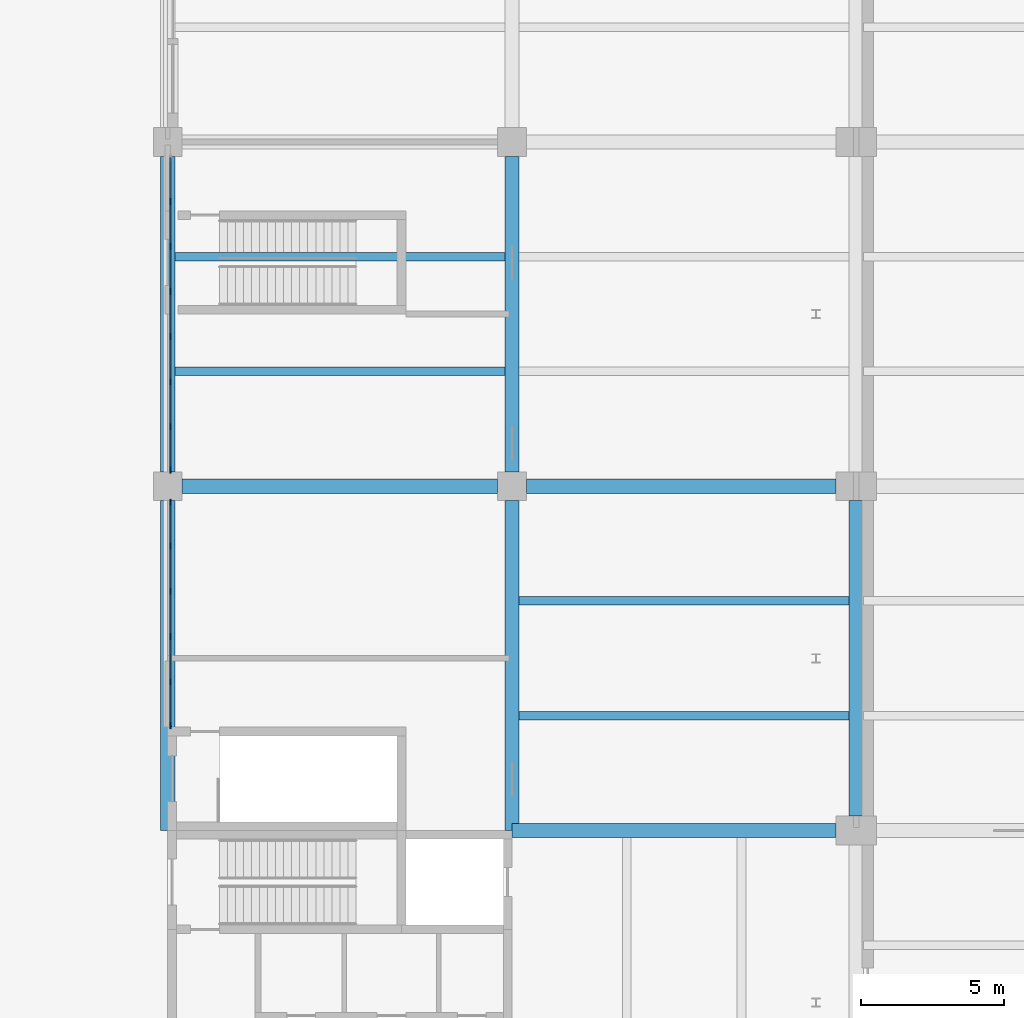
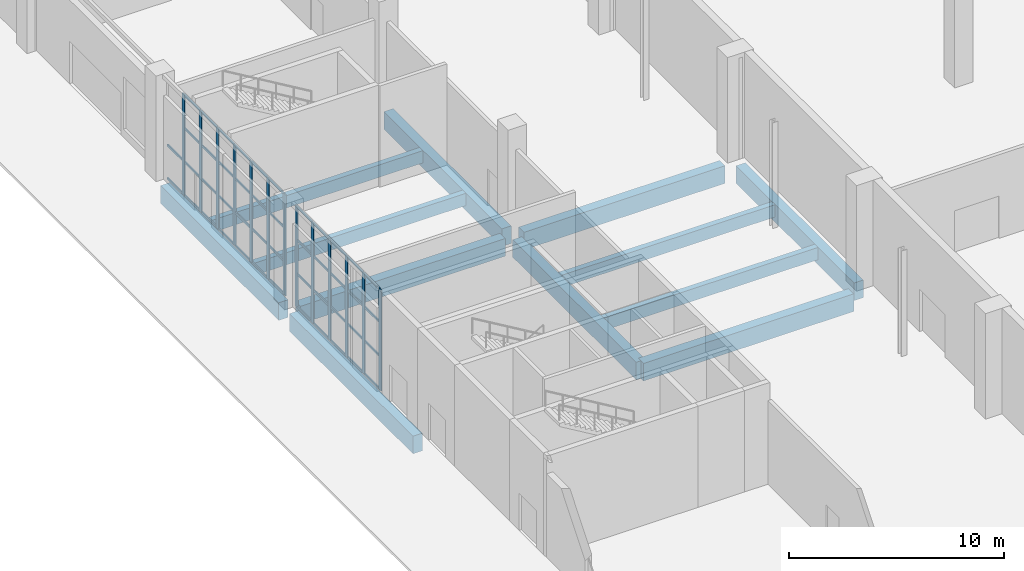
# One storey, part 15 of 59: 59 members, 12 beams, 2 elements without a shape of their own.
"""IFC4 building model written with IfcOpenShell, lengths in metres."""

from ifc_helpers import new_model, si_unit, direction, frame, origin, origin_2d, place, context, subcontext, project, spatial, rectangle, extrude, material, layer, layer_set, material_profile, profile_set, type_object, element, aggregate, save


model = new_model("IFC4")

# Units and contexts
model_context = context("Model", 3, precision=1e-05, world=origin(), true_north=direction((0.0, 1.0)))
body_context = subcontext(model_context, "Body", "Model", "MODEL_VIEW")
ifc_project = project(units=[si_unit("LENGTHUNIT", "METRE"), si_unit("AREAUNIT", "SQUARE_METRE"), si_unit("VOLUMEUNIT", "CUBIC_METRE"), si_unit("PLANEANGLEUNIT", "RADIAN"), si_unit("MASSUNIT", "GRAM", prefix="KILO")], contexts=[model_context])

# Site, building, storey
site_placement = place(None, origin())
site = spatial("IfcSite", under=ifc_project, at=site_placement, CompositionType="ELEMENT")
building_placement = place(site_placement, origin())
building = spatial("IfcBuilding", under=site, at=building_placement, Name="Lilac Gate Convention Centre", CompositionType="ELEMENT")
storey_placement = place(building_placement, origin())
storey = spatial("IfcBuildingStorey", under=building, at=storey_placement, Name="L00", CompositionType="ELEMENT", Elevation=0.0)

# Curtain wall, members
ifc_material_1 = material(Name="Aluminium framed double glazing", Category="aluminium")
ifc_layer = layer(ifc_material_1, 0.199951171875)
ifc_layer_set = layer_set([ifc_layer], Name="Aluminium framed double glazing")
curtain_wall_type = type_object("IfcCurtainWallType", Name="Unitised curtain wall 1500", PredefinedType="NOTDEFINED", material=ifc_layer_set)
curtain_wall_1_placement = place(storey_placement, origin())
curtain_wall_1 = element("IfcCurtainWall", 1, at=curtain_wall_1_placement, inside=storey, type_object=curtain_wall_type, Name="Curtain wall PW L00 3", PredefinedType="NOTDEFINED")
ifc_material_2 = material(Name="Aluminium alloy 6063", Category="aluminium")
ifc_material_profile_1 = material_profile(ifc_material_2, rectangle(XDim=0.06005859375, YDim=0.219970703125, at=origin_2d()), Name="Curtain wall mullion 60 x 220")
ifc_profile_set_1 = profile_set([ifc_material_profile_1], Name="Aluminium alloy 6063")
member_type_1 = type_object("IfcMemberType", Name="Curtain wall mullion 60 x 220", PredefinedType="MULLION", material=ifc_profile_set_1)
member_1_placement = place(storey_placement, frame((6.10009765625, 183.928466796875, 0.0), z_axis=(0.0, 0.0, 1.0), x_axis=(1.0, 0.0, 0.0)))
member_1 = element("IfcMember", 2, at=member_1_placement, type_object=member_type_1, Name="CW mullion 2", PredefinedType="MULLION", context=body_context, shape_type="SweptSolid", body=[
    extrude(rectangle(XDim=0.06005859375, YDim=0.219970703125, at=origin_2d()), origin(), (0.0, 0.0, 1.0), 5.75),
])
member_2_placement = place(storey_placement, frame((6.10009765625, 182.357177734375, 0.0), z_axis=(0.0, 0.0, 1.0), x_axis=(1.0, 0.0, 0.0)))
member_2 = element("IfcMember", 3, at=member_2_placement, type_object=member_type_1, Name="CW mullion 3", PredefinedType="MULLION", context=body_context, shape_type="SweptSolid", body=[
    extrude(rectangle(XDim=0.06005859375, YDim=0.219970703125, at=origin_2d()), origin(), (0.0, 0.0, 1.0), 5.75),
])
member_3_placement = place(storey_placement, frame((6.10009765625, 180.78564453125, 0.0), z_axis=(0.0, 0.0, 1.0), x_axis=(1.0, 0.0, 0.0)))
member_3 = element("IfcMember", 4, at=member_3_placement, type_object=member_type_1, Name="CW mullion 4", PredefinedType="MULLION", context=body_context, shape_type="SweptSolid", body=[
    extrude(rectangle(XDim=0.06005859375, YDim=0.219970703125, at=origin_2d()), origin(), (0.0, 0.0, 1.0), 5.75),
])
member_4_placement = place(storey_placement, frame((6.10009765625, 179.21435546875, 0.0), z_axis=(0.0, 0.0, 1.0), x_axis=(1.0, 0.0, 0.0)))
member_4 = element("IfcMember", 5, at=member_4_placement, type_object=member_type_1, Name="CW mullion 5", PredefinedType="MULLION", context=body_context, shape_type="SweptSolid", body=[
    extrude(rectangle(XDim=0.06005859375, YDim=0.219970703125, at=origin_2d()), origin(), (0.0, 0.0, 1.0), 5.75),
])
member_5_placement = place(storey_placement, frame((6.10009765625, 177.642822265625, 0.0), z_axis=(0.0, 0.0, 1.0), x_axis=(1.0, 0.0, 0.0)))
member_5 = element("IfcMember", 6, at=member_5_placement, type_object=member_type_1, Name="CW mullion 6", PredefinedType="MULLION", context=body_context, shape_type="SweptSolid", body=[
    extrude(rectangle(XDim=0.06005859375, YDim=0.219970703125, at=origin_2d()), origin(), (0.0, 0.0, 1.0), 5.75),
])
member_6_placement = place(storey_placement, frame((6.10009765625, 176.071533203125, 0.0), z_axis=(0.0, 0.0, 1.0), x_axis=(1.0, 0.0, 0.0)))
member_6 = element("IfcMember", 7, at=member_6_placement, type_object=member_type_1, Name="CW mullion 7", PredefinedType="MULLION", context=body_context, shape_type="SweptSolid", body=[
    extrude(rectangle(XDim=0.06005859375, YDim=0.219970703125, at=origin_2d()), origin(), (0.0, 0.0, 1.0), 5.75),
])
member_7_placement = place(storey_placement, frame((6.10009765625, 174.56005859375, 0.0), z_axis=(0.0, 0.0, 1.0), x_axis=(1.0, 0.0, 0.0)))
member_7 = element("IfcMember", 8, at=member_7_placement, type_object=member_type_1, Name="CW mullion 8", PredefinedType="MULLION", context=body_context, shape_type="SweptSolid", body=[
    extrude(rectangle(XDim=0.06005859375, YDim=0.219970703125, at=origin_2d()), origin(), (0.0, 0.0, 1.0), 5.75),
])

curtain_wall_2_placement = place(storey_placement, origin())
curtain_wall_2 = element("IfcCurtainWall", 9, at=curtain_wall_2_placement, inside=storey, type_object=curtain_wall_type, Name="Curtain wall PW L00 4", PredefinedType="NOTDEFINED")
member_8_placement = place(storey_placement, frame((6.10009765625, 173.43994140625, 0.0), z_axis=(0.0, 0.0, 1.0), x_axis=(1.0, 0.0, 0.0)))
member_8 = element("IfcMember", 10, at=member_8_placement, type_object=member_type_1, Name="CW mullion 1", PredefinedType="MULLION", context=body_context, shape_type="SweptSolid", body=[
    extrude(rectangle(XDim=0.06005859375, YDim=0.219970703125, at=origin_2d()), origin(), (0.0, 0.0, 1.0), 5.75),
])
member_9_placement = place(storey_placement, frame((6.10009765625, 171.919921875, 0.0), z_axis=(0.0, 0.0, 1.0), x_axis=(1.0, 0.0, 0.0)))
member_9 = element("IfcMember", 11, at=member_9_placement, type_object=member_type_1, Name="CW mullion 2", PredefinedType="MULLION", context=body_context, shape_type="SweptSolid", body=[
    extrude(rectangle(XDim=0.06005859375, YDim=0.219970703125, at=origin_2d()), origin(), (0.0, 0.0, 1.0), 5.75),
])
member_10_placement = place(storey_placement, frame((6.10009765625, 170.340087890625, 0.0), z_axis=(0.0, 0.0, 1.0), x_axis=(1.0, 0.0, 0.0)))
member_10 = element("IfcMember", 12, at=member_10_placement, type_object=member_type_1, Name="CW mullion 3", PredefinedType="MULLION", context=body_context, shape_type="SweptSolid", body=[
    extrude(rectangle(XDim=0.06005859375, YDim=0.219970703125, at=origin_2d()), origin(), (0.0, 0.0, 1.0), 5.75),
])
member_11_placement = place(storey_placement, frame((6.10009765625, 168.760009765625, 0.0), z_axis=(0.0, 0.0, 1.0), x_axis=(1.0, 0.0, 0.0)))
member_11 = element("IfcMember", 13, at=member_11_placement, type_object=member_type_1, Name="CW mullion 4", PredefinedType="MULLION", context=body_context, shape_type="SweptSolid", body=[
    extrude(rectangle(XDim=0.06005859375, YDim=0.219970703125, at=origin_2d()), origin(), (0.0, 0.0, 1.0), 5.75),
])
member_12_placement = place(storey_placement, frame((6.10009765625, 167.18017578125, 0.0), z_axis=(0.0, 0.0, 1.0), x_axis=(1.0, 0.0, 0.0)))
member_12 = element("IfcMember", 14, at=member_12_placement, type_object=member_type_1, Name="CW mullion 5", PredefinedType="MULLION", context=body_context, shape_type="SweptSolid", body=[
    extrude(rectangle(XDim=0.06005859375, YDim=0.219970703125, at=origin_2d()), origin(), (0.0, 0.0, 1.0), 5.75),
])
member_13_placement = place(storey_placement, frame((6.10009765625, 165.66015625, 0.0), z_axis=(0.0, 0.0, 1.0), x_axis=(1.0, 0.0, 0.0)))
member_13 = element("IfcMember", 15, at=member_13_placement, type_object=member_type_1, Name="CW mullion 6", PredefinedType="MULLION", context=body_context, shape_type="SweptSolid", body=[
    extrude(rectangle(XDim=0.06005859375, YDim=0.219970703125, at=origin_2d()), origin(), (0.0, 0.0, 1.0), 5.75),
])

# Member
ifc_material_profile_2 = material_profile(ifc_material_2, rectangle(XDim=0.06005859375, YDim=0.1201171875, at=origin_2d()), Name="Curtain wall transom 60 x 120")
ifc_profile_set_2 = profile_set([ifc_material_profile_2], Name="Aluminium alloy 6063")
member_type_2 = type_object("IfcMemberType", Name="Curtain wall transom 60 x 120", PredefinedType="USERDEFINED", material=ifc_profile_set_2)
member_14_placement = place(storey_placement, frame((6.10009765625, 185.43994140625, 0.030029296875), z_axis=(0.0, -1.0, 0.0), x_axis=(1.0, 0.0, 0.0)))
member_14 = element("IfcMember", 16, at=member_14_placement, type_object=member_type_2, Name="CW transom 1.1", ObjectType="TRANSOM", PredefinedType="USERDEFINED", context=body_context, shape_type="SweptSolid", body=[
    extrude(rectangle(XDim=0.06005859375, YDim=0.1201171875, at=origin_2d()), origin(), (0.0, 0.0, 1.0), 1.4814453125),
])

member_15_placement = place(storey_placement, frame((6.10009765625, 185.43994140625, 1.916748046875), z_axis=(0.0, -1.0, 0.0), x_axis=(1.0, 0.0, 0.0)))
member_15 = element("IfcMember", 17, at=member_15_placement, type_object=member_type_2, Name="CW transom 1.2", ObjectType="TRANSOM", PredefinedType="USERDEFINED", context=body_context, shape_type="SweptSolid", body=[
    extrude(rectangle(XDim=0.06005859375, YDim=0.1201171875, at=origin_2d()), origin(), (0.0, 0.0, 1.0), 1.4814453125),
])

member_16_placement = place(storey_placement, frame((6.10009765625, 183.898681640625, 0.030029296875), z_axis=(0.0, -1.0, 0.0), x_axis=(1.0, 0.0, 0.0)))
member_16 = element("IfcMember", 18, at=member_16_placement, type_object=member_type_2, Name="CW transom 2.1", ObjectType="TRANSOM", PredefinedType="USERDEFINED", context=body_context, shape_type="SweptSolid", body=[
    extrude(rectangle(XDim=0.06005859375, YDim=0.1201171875, at=origin_2d()), origin(), (0.0, 0.0, 1.0), 1.511474609375),
])

member_17_placement = place(storey_placement, frame((6.10009765625, 183.898681640625, 1.916748046875), z_axis=(0.0, -1.0, 0.0), x_axis=(1.0, 0.0, 0.0)))
member_17 = element("IfcMember", 19, at=member_17_placement, type_object=member_type_2, Name="CW transom 2.2", ObjectType="TRANSOM", PredefinedType="USERDEFINED", context=body_context, shape_type="SweptSolid", body=[
    extrude(rectangle(XDim=0.06005859375, YDim=0.1201171875, at=origin_2d()), origin(), (0.0, 0.0, 1.0), 1.511474609375),
])

member_18_placement = place(storey_placement, frame((6.10009765625, 183.898681640625, 3.833251953125), z_axis=(0.0, -1.0, 0.0), x_axis=(1.0, 0.0, 0.0)))
member_18 = element("IfcMember", 20, at=member_18_placement, type_object=member_type_2, Name="CW transom 2.3", ObjectType="TRANSOM", PredefinedType="USERDEFINED", context=body_context, shape_type="SweptSolid", body=[
    extrude(rectangle(XDim=0.06005859375, YDim=0.1201171875, at=origin_2d()), origin(), (0.0, 0.0, 1.0), 1.511474609375),
])

member_19_placement = place(storey_placement, frame((6.10009765625, 183.898681640625, 5.719970703125), z_axis=(0.0, -1.0, 0.0), x_axis=(1.0, 0.0, 0.0)))
member_19 = element("IfcMember", 21, at=member_19_placement, type_object=member_type_2, Name="CW transom 2.4", ObjectType="TRANSOM", PredefinedType="USERDEFINED", context=body_context, shape_type="SweptSolid", body=[
    extrude(rectangle(XDim=0.06005859375, YDim=0.1201171875, at=origin_2d()), origin(), (0.0, 0.0, 1.0), 1.511474609375),
])

member_20_placement = place(storey_placement, frame((6.10009765625, 182.3271484375, 0.030029296875), z_axis=(0.0, -1.0, 0.0), x_axis=(1.0, 0.0, 0.0)))
member_20 = element("IfcMember", 22, at=member_20_placement, type_object=member_type_2, Name="CW transom 3.1", ObjectType="TRANSOM", PredefinedType="USERDEFINED", context=body_context, shape_type="SweptSolid", body=[
    extrude(rectangle(XDim=0.06005859375, YDim=0.1201171875, at=origin_2d()), origin(), (0.0, 0.0, 1.0), 1.511474609375),
])

member_21_placement = place(storey_placement, frame((6.10009765625, 182.3271484375, 1.916748046875), z_axis=(0.0, -1.0, 0.0), x_axis=(1.0, 0.0, 0.0)))
member_21 = element("IfcMember", 23, at=member_21_placement, type_object=member_type_2, Name="CW transom 3.2", ObjectType="TRANSOM", PredefinedType="USERDEFINED", context=body_context, shape_type="SweptSolid", body=[
    extrude(rectangle(XDim=0.06005859375, YDim=0.1201171875, at=origin_2d()), origin(), (0.0, 0.0, 1.0), 1.511474609375),
])

member_22_placement = place(storey_placement, frame((6.10009765625, 182.3271484375, 3.833251953125), z_axis=(0.0, -1.0, 0.0), x_axis=(1.0, 0.0, 0.0)))
member_22 = element("IfcMember", 24, at=member_22_placement, type_object=member_type_2, Name="CW transom 3.3", ObjectType="TRANSOM", PredefinedType="USERDEFINED", context=body_context, shape_type="SweptSolid", body=[
    extrude(rectangle(XDim=0.06005859375, YDim=0.1201171875, at=origin_2d()), origin(), (0.0, 0.0, 1.0), 1.511474609375),
])

member_23_placement = place(storey_placement, frame((6.10009765625, 182.3271484375, 5.719970703125), z_axis=(0.0, -1.0, 0.0), x_axis=(1.0, 0.0, 0.0)))
member_23 = element("IfcMember", 25, at=member_23_placement, type_object=member_type_2, Name="CW transom 3.4", ObjectType="TRANSOM", PredefinedType="USERDEFINED", context=body_context, shape_type="SweptSolid", body=[
    extrude(rectangle(XDim=0.06005859375, YDim=0.1201171875, at=origin_2d()), origin(), (0.0, 0.0, 1.0), 1.511474609375),
])

member_24_placement = place(storey_placement, frame((6.10009765625, 180.755615234375, 0.030029296875), z_axis=(0.0, -1.0, 0.0), x_axis=(1.0, 0.0, 0.0)))
member_24 = element("IfcMember", 26, at=member_24_placement, type_object=member_type_2, Name="CW transom 4.1", ObjectType="TRANSOM", PredefinedType="USERDEFINED", context=body_context, shape_type="SweptSolid", body=[
    extrude(rectangle(XDim=0.06005859375, YDim=0.1201171875, at=origin_2d()), origin(), (0.0, 0.0, 1.0), 1.51123046875),
])

member_25_placement = place(storey_placement, frame((6.10009765625, 180.755615234375, 1.916748046875), z_axis=(0.0, -1.0, 0.0), x_axis=(1.0, 0.0, 0.0)))
member_25 = element("IfcMember", 27, at=member_25_placement, type_object=member_type_2, Name="CW transom 4.2", ObjectType="TRANSOM", PredefinedType="USERDEFINED", context=body_context, shape_type="SweptSolid", body=[
    extrude(rectangle(XDim=0.06005859375, YDim=0.1201171875, at=origin_2d()), origin(), (0.0, 0.0, 1.0), 1.51123046875),
])

member_26_placement = place(storey_placement, frame((6.10009765625, 180.755615234375, 3.833251953125), z_axis=(0.0, -1.0, 0.0), x_axis=(1.0, 0.0, 0.0)))
member_26 = element("IfcMember", 28, at=member_26_placement, type_object=member_type_2, Name="CW transom 4.3", ObjectType="TRANSOM", PredefinedType="USERDEFINED", context=body_context, shape_type="SweptSolid", body=[
    extrude(rectangle(XDim=0.06005859375, YDim=0.1201171875, at=origin_2d()), origin(), (0.0, 0.0, 1.0), 1.51123046875),
])

member_27_placement = place(storey_placement, frame((6.10009765625, 180.755615234375, 5.719970703125), z_axis=(0.0, -1.0, 0.0), x_axis=(1.0, 0.0, 0.0)))
member_27 = element("IfcMember", 29, at=member_27_placement, type_object=member_type_2, Name="CW transom 4.4", ObjectType="TRANSOM", PredefinedType="USERDEFINED", context=body_context, shape_type="SweptSolid", body=[
    extrude(rectangle(XDim=0.06005859375, YDim=0.1201171875, at=origin_2d()), origin(), (0.0, 0.0, 1.0), 1.51123046875),
])

member_28_placement = place(storey_placement, frame((6.10009765625, 179.184326171875, 0.030029296875), z_axis=(0.0, -1.0, 0.0), x_axis=(1.0, 0.0, 0.0)))
member_28 = element("IfcMember", 30, at=member_28_placement, type_object=member_type_2, Name="CW transom 5.1", ObjectType="TRANSOM", PredefinedType="USERDEFINED", context=body_context, shape_type="SweptSolid", body=[
    extrude(rectangle(XDim=0.06005859375, YDim=0.1201171875, at=origin_2d()), origin(), (0.0, 0.0, 1.0), 1.511474609375),
])

member_29_placement = place(storey_placement, frame((6.10009765625, 179.184326171875, 1.916748046875), z_axis=(0.0, -1.0, 0.0), x_axis=(1.0, 0.0, 0.0)))
member_29 = element("IfcMember", 31, at=member_29_placement, type_object=member_type_2, Name="CW transom 5.2", ObjectType="TRANSOM", PredefinedType="USERDEFINED", context=body_context, shape_type="SweptSolid", body=[
    extrude(rectangle(XDim=0.06005859375, YDim=0.1201171875, at=origin_2d()), origin(), (0.0, 0.0, 1.0), 1.511474609375),
])

member_30_placement = place(storey_placement, frame((6.10009765625, 179.184326171875, 3.833251953125), z_axis=(0.0, -1.0, 0.0), x_axis=(1.0, 0.0, 0.0)))
member_30 = element("IfcMember", 32, at=member_30_placement, type_object=member_type_2, Name="CW transom 5.3", ObjectType="TRANSOM", PredefinedType="USERDEFINED", context=body_context, shape_type="SweptSolid", body=[
    extrude(rectangle(XDim=0.06005859375, YDim=0.1201171875, at=origin_2d()), origin(), (0.0, 0.0, 1.0), 1.511474609375),
])

member_31_placement = place(storey_placement, frame((6.10009765625, 179.184326171875, 5.719970703125), z_axis=(0.0, -1.0, 0.0), x_axis=(1.0, 0.0, 0.0)))
member_31 = element("IfcMember", 33, at=member_31_placement, type_object=member_type_2, Name="CW transom 5.4", ObjectType="TRANSOM", PredefinedType="USERDEFINED", context=body_context, shape_type="SweptSolid", body=[
    extrude(rectangle(XDim=0.06005859375, YDim=0.1201171875, at=origin_2d()), origin(), (0.0, 0.0, 1.0), 1.511474609375),
])

member_32_placement = place(storey_placement, frame((6.10009765625, 177.61279296875, 0.030029296875), z_axis=(0.0, -1.0, 0.0), x_axis=(1.0, 0.0, 0.0)))
member_32 = element("IfcMember", 34, at=member_32_placement, type_object=member_type_2, Name="CW transom 6.1", ObjectType="TRANSOM", PredefinedType="USERDEFINED", context=body_context, shape_type="SweptSolid", body=[
    extrude(rectangle(XDim=0.06005859375, YDim=0.1201171875, at=origin_2d()), origin(), (0.0, 0.0, 1.0), 1.511474609375),
])

member_33_placement = place(storey_placement, frame((6.10009765625, 177.61279296875, 1.916748046875), z_axis=(0.0, -1.0, 0.0), x_axis=(1.0, 0.0, 0.0)))
member_33 = element("IfcMember", 35, at=member_33_placement, type_object=member_type_2, Name="CW transom 6.2", ObjectType="TRANSOM", PredefinedType="USERDEFINED", context=body_context, shape_type="SweptSolid", body=[
    extrude(rectangle(XDim=0.06005859375, YDim=0.1201171875, at=origin_2d()), origin(), (0.0, 0.0, 1.0), 1.511474609375),
])

member_34_placement = place(storey_placement, frame((6.10009765625, 177.61279296875, 3.833251953125), z_axis=(0.0, -1.0, 0.0), x_axis=(1.0, 0.0, 0.0)))
member_34 = element("IfcMember", 36, at=member_34_placement, type_object=member_type_2, Name="CW transom 6.3", ObjectType="TRANSOM", PredefinedType="USERDEFINED", context=body_context, shape_type="SweptSolid", body=[
    extrude(rectangle(XDim=0.06005859375, YDim=0.1201171875, at=origin_2d()), origin(), (0.0, 0.0, 1.0), 1.511474609375),
])

member_35_placement = place(storey_placement, frame((6.10009765625, 177.61279296875, 5.719970703125), z_axis=(0.0, -1.0, 0.0), x_axis=(1.0, 0.0, 0.0)))
member_35 = element("IfcMember", 37, at=member_35_placement, type_object=member_type_2, Name="CW transom 6.4", ObjectType="TRANSOM", PredefinedType="USERDEFINED", context=body_context, shape_type="SweptSolid", body=[
    extrude(rectangle(XDim=0.06005859375, YDim=0.1201171875, at=origin_2d()), origin(), (0.0, 0.0, 1.0), 1.511474609375),
])

member_36_placement = place(storey_placement, frame((6.10009765625, 176.04150390625, 0.030029296875), z_axis=(0.0, -1.0, 0.0), x_axis=(1.0, 0.0, 0.0)))
member_36 = element("IfcMember", 38, at=member_36_placement, type_object=member_type_2, Name="CW transom 7.1", ObjectType="TRANSOM", PredefinedType="USERDEFINED", context=body_context, shape_type="SweptSolid", body=[
    extrude(rectangle(XDim=0.06005859375, YDim=0.1201171875, at=origin_2d()), origin(), (0.0, 0.0, 1.0), 1.4814453125),
])

member_37_placement = place(storey_placement, frame((6.10009765625, 176.04150390625, 1.916748046875), z_axis=(0.0, -1.0, 0.0), x_axis=(1.0, 0.0, 0.0)))
member_37 = element("IfcMember", 39, at=member_37_placement, type_object=member_type_2, Name="CW transom 7.2", ObjectType="TRANSOM", PredefinedType="USERDEFINED", context=body_context, shape_type="SweptSolid", body=[
    extrude(rectangle(XDim=0.06005859375, YDim=0.1201171875, at=origin_2d()), origin(), (0.0, 0.0, 1.0), 1.4814453125),
])

member_38_placement = place(storey_placement, frame((6.10009765625, 176.04150390625, 3.833251953125), z_axis=(0.0, -1.0, 0.0), x_axis=(1.0, 0.0, 0.0)))
member_38 = element("IfcMember", 40, at=member_38_placement, type_object=member_type_2, Name="CW transom 7.3", ObjectType="TRANSOM", PredefinedType="USERDEFINED", context=body_context, shape_type="SweptSolid", body=[
    extrude(rectangle(XDim=0.06005859375, YDim=0.1201171875, at=origin_2d()), origin(), (0.0, 0.0, 1.0), 1.4814453125),
])

member_39_placement = place(storey_placement, frame((6.10009765625, 176.04150390625, 5.719970703125), z_axis=(0.0, -1.0, 0.0), x_axis=(1.0, 0.0, 0.0)))
member_39 = element("IfcMember", 41, at=member_39_placement, type_object=member_type_2, Name="CW transom 7.4", ObjectType="TRANSOM", PredefinedType="USERDEFINED", context=body_context, shape_type="SweptSolid", body=[
    extrude(rectangle(XDim=0.06005859375, YDim=0.1201171875, at=origin_2d()), origin(), (0.0, 0.0, 1.0), 1.4814453125),
])

aggregate(curtain_wall_1, [member_1, member_2, member_3, member_4, member_5, member_6, member_7, member_14, member_15, member_16, member_17, member_18, member_19, member_20, member_21, member_22, member_23, member_24, member_25, member_26, member_27, member_28, member_29, member_30, member_31, member_32, member_33, member_34, member_35, member_36, member_37, member_38, member_39])

member_40_placement = place(storey_placement, frame((6.10009765625, 173.43994140625, 0.030029296875), z_axis=(0.0, -1.0, 0.0), x_axis=(1.0, 0.0, 0.0)))
member_40 = element("IfcMember", 42, at=member_40_placement, type_object=member_type_2, Name="CW transom 1.1", ObjectType="TRANSOM", PredefinedType="USERDEFINED", context=body_context, shape_type="SweptSolid", body=[
    extrude(rectangle(XDim=0.06005859375, YDim=0.1201171875, at=origin_2d()), origin(), (0.0, 0.0, 1.0), 1.489990234375),
])

member_41_placement = place(storey_placement, frame((6.10009765625, 173.43994140625, 1.916748046875), z_axis=(0.0, -1.0, 0.0), x_axis=(1.0, 0.0, 0.0)))
member_41 = element("IfcMember", 43, at=member_41_placement, type_object=member_type_2, Name="CW transom 1.2", ObjectType="TRANSOM", PredefinedType="USERDEFINED", context=body_context, shape_type="SweptSolid", body=[
    extrude(rectangle(XDim=0.06005859375, YDim=0.1201171875, at=origin_2d()), origin(), (0.0, 0.0, 1.0), 1.489990234375),
])

member_42_placement = place(storey_placement, frame((6.10009765625, 173.43994140625, 3.833251953125), z_axis=(0.0, -1.0, 0.0), x_axis=(1.0, 0.0, 0.0)))
member_42 = element("IfcMember", 44, at=member_42_placement, type_object=member_type_2, Name="CW transom 1.3", ObjectType="TRANSOM", PredefinedType="USERDEFINED", context=body_context, shape_type="SweptSolid", body=[
    extrude(rectangle(XDim=0.06005859375, YDim=0.1201171875, at=origin_2d()), origin(), (0.0, 0.0, 1.0), 1.489990234375),
])

member_43_placement = place(storey_placement, frame((6.10009765625, 173.43994140625, 5.719970703125), z_axis=(0.0, -1.0, 0.0), x_axis=(1.0, 0.0, 0.0)))
member_43 = element("IfcMember", 45, at=member_43_placement, type_object=member_type_2, Name="CW transom 1.4", ObjectType="TRANSOM", PredefinedType="USERDEFINED", context=body_context, shape_type="SweptSolid", body=[
    extrude(rectangle(XDim=0.06005859375, YDim=0.1201171875, at=origin_2d()), origin(), (0.0, 0.0, 1.0), 1.489990234375),
])

member_44_placement = place(storey_placement, frame((6.10009765625, 171.89013671875, 0.030029296875), z_axis=(0.0, -1.0, 0.0), x_axis=(1.0, 0.0, 0.0)))
member_44 = element("IfcMember", 46, at=member_44_placement, type_object=member_type_2, Name="CW transom 2.1", ObjectType="TRANSOM", PredefinedType="USERDEFINED", context=body_context, shape_type="SweptSolid", body=[
    extrude(rectangle(XDim=0.06005859375, YDim=0.1201171875, at=origin_2d()), origin(), (0.0, 0.0, 1.0), 1.52001953125),
])

member_45_placement = place(storey_placement, frame((6.10009765625, 171.89013671875, 1.916748046875), z_axis=(0.0, -1.0, 0.0), x_axis=(1.0, 0.0, 0.0)))
member_45 = element("IfcMember", 47, at=member_45_placement, type_object=member_type_2, Name="CW transom 2.2", ObjectType="TRANSOM", PredefinedType="USERDEFINED", context=body_context, shape_type="SweptSolid", body=[
    extrude(rectangle(XDim=0.06005859375, YDim=0.1201171875, at=origin_2d()), origin(), (0.0, 0.0, 1.0), 1.52001953125),
])

member_46_placement = place(storey_placement, frame((6.10009765625, 171.89013671875, 3.833251953125), z_axis=(0.0, -1.0, 0.0), x_axis=(1.0, 0.0, 0.0)))
member_46 = element("IfcMember", 48, at=member_46_placement, type_object=member_type_2, Name="CW transom 2.3", ObjectType="TRANSOM", PredefinedType="USERDEFINED", context=body_context, shape_type="SweptSolid", body=[
    extrude(rectangle(XDim=0.06005859375, YDim=0.1201171875, at=origin_2d()), origin(), (0.0, 0.0, 1.0), 1.52001953125),
])

member_47_placement = place(storey_placement, frame((6.10009765625, 171.89013671875, 5.719970703125), z_axis=(0.0, -1.0, 0.0), x_axis=(1.0, 0.0, 0.0)))
member_47 = element("IfcMember", 49, at=member_47_placement, type_object=member_type_2, Name="CW transom 2.4", ObjectType="TRANSOM", PredefinedType="USERDEFINED", context=body_context, shape_type="SweptSolid", body=[
    extrude(rectangle(XDim=0.06005859375, YDim=0.1201171875, at=origin_2d()), origin(), (0.0, 0.0, 1.0), 1.52001953125),
])

member_48_placement = place(storey_placement, frame((6.10009765625, 170.31005859375, 0.030029296875), z_axis=(0.0, -1.0, 0.0), x_axis=(1.0, 0.0, 0.0)))
member_48 = element("IfcMember", 50, at=member_48_placement, type_object=member_type_2, Name="CW transom 3.1", ObjectType="TRANSOM", PredefinedType="USERDEFINED", context=body_context, shape_type="SweptSolid", body=[
    extrude(rectangle(XDim=0.06005859375, YDim=0.1201171875, at=origin_2d()), origin(), (0.0, 0.0, 1.0), 1.52001953125),
])

member_49_placement = place(storey_placement, frame((6.10009765625, 170.31005859375, 1.916748046875), z_axis=(0.0, -1.0, 0.0), x_axis=(1.0, 0.0, 0.0)))
member_49 = element("IfcMember", 51, at=member_49_placement, type_object=member_type_2, Name="CW transom 3.2", ObjectType="TRANSOM", PredefinedType="USERDEFINED", context=body_context, shape_type="SweptSolid", body=[
    extrude(rectangle(XDim=0.06005859375, YDim=0.1201171875, at=origin_2d()), origin(), (0.0, 0.0, 1.0), 1.52001953125),
])

member_50_placement = place(storey_placement, frame((6.10009765625, 170.31005859375, 3.833251953125), z_axis=(0.0, -1.0, 0.0), x_axis=(1.0, 0.0, 0.0)))
member_50 = element("IfcMember", 52, at=member_50_placement, type_object=member_type_2, Name="CW transom 3.3", ObjectType="TRANSOM", PredefinedType="USERDEFINED", context=body_context, shape_type="SweptSolid", body=[
    extrude(rectangle(XDim=0.06005859375, YDim=0.1201171875, at=origin_2d()), origin(), (0.0, 0.0, 1.0), 1.52001953125),
])

member_51_placement = place(storey_placement, frame((6.10009765625, 170.31005859375, 5.719970703125), z_axis=(0.0, -1.0, 0.0), x_axis=(1.0, 0.0, 0.0)))
member_51 = element("IfcMember", 53, at=member_51_placement, type_object=member_type_2, Name="CW transom 3.4", ObjectType="TRANSOM", PredefinedType="USERDEFINED", context=body_context, shape_type="SweptSolid", body=[
    extrude(rectangle(XDim=0.06005859375, YDim=0.1201171875, at=origin_2d()), origin(), (0.0, 0.0, 1.0), 1.52001953125),
])

member_52_placement = place(storey_placement, frame((6.10009765625, 168.72998046875, 0.030029296875), z_axis=(0.0, -1.0, 0.0), x_axis=(1.0, 0.0, 0.0)))
member_52 = element("IfcMember", 54, at=member_52_placement, type_object=member_type_2, Name="CW transom 4.1", ObjectType="TRANSOM", PredefinedType="USERDEFINED", context=body_context, shape_type="SweptSolid", body=[
    extrude(rectangle(XDim=0.06005859375, YDim=0.1201171875, at=origin_2d()), origin(), (0.0, 0.0, 1.0), 1.52001953125),
])

member_53_placement = place(storey_placement, frame((6.10009765625, 168.72998046875, 1.916748046875), z_axis=(0.0, -1.0, 0.0), x_axis=(1.0, 0.0, 0.0)))
member_53 = element("IfcMember", 55, at=member_53_placement, type_object=member_type_2, Name="CW transom 4.2", ObjectType="TRANSOM", PredefinedType="USERDEFINED", context=body_context, shape_type="SweptSolid", body=[
    extrude(rectangle(XDim=0.06005859375, YDim=0.1201171875, at=origin_2d()), origin(), (0.0, 0.0, 1.0), 1.52001953125),
])

member_54_placement = place(storey_placement, frame((6.10009765625, 168.72998046875, 3.833251953125), z_axis=(0.0, -1.0, 0.0), x_axis=(1.0, 0.0, 0.0)))
member_54 = element("IfcMember", 56, at=member_54_placement, type_object=member_type_2, Name="CW transom 4.3", ObjectType="TRANSOM", PredefinedType="USERDEFINED", context=body_context, shape_type="SweptSolid", body=[
    extrude(rectangle(XDim=0.06005859375, YDim=0.1201171875, at=origin_2d()), origin(), (0.0, 0.0, 1.0), 1.52001953125),
])

member_55_placement = place(storey_placement, frame((6.10009765625, 168.72998046875, 5.719970703125), z_axis=(0.0, -1.0, 0.0), x_axis=(1.0, 0.0, 0.0)))
member_55 = element("IfcMember", 57, at=member_55_placement, type_object=member_type_2, Name="CW transom 4.4", ObjectType="TRANSOM", PredefinedType="USERDEFINED", context=body_context, shape_type="SweptSolid", body=[
    extrude(rectangle(XDim=0.06005859375, YDim=0.1201171875, at=origin_2d()), origin(), (0.0, 0.0, 1.0), 1.52001953125),
])

member_56_placement = place(storey_placement, frame((6.10009765625, 167.150146484375, 0.030029296875), z_axis=(0.0, -1.0, 0.0), x_axis=(1.0, 0.0, 0.0)))
member_56 = element("IfcMember", 58, at=member_56_placement, type_object=member_type_2, Name="CW transom 5.1", ObjectType="TRANSOM", PredefinedType="USERDEFINED", context=body_context, shape_type="SweptSolid", body=[
    extrude(rectangle(XDim=0.06005859375, YDim=0.1201171875, at=origin_2d()), origin(), (0.0, 0.0, 1.0), 1.489990234375),
])

member_57_placement = place(storey_placement, frame((6.10009765625, 167.150146484375, 1.916748046875), z_axis=(0.0, -1.0, 0.0), x_axis=(1.0, 0.0, 0.0)))
member_57 = element("IfcMember", 59, at=member_57_placement, type_object=member_type_2, Name="CW transom 5.2", ObjectType="TRANSOM", PredefinedType="USERDEFINED", context=body_context, shape_type="SweptSolid", body=[
    extrude(rectangle(XDim=0.06005859375, YDim=0.1201171875, at=origin_2d()), origin(), (0.0, 0.0, 1.0), 1.489990234375),
])

member_58_placement = place(storey_placement, frame((6.10009765625, 167.150146484375, 3.833251953125), z_axis=(0.0, -1.0, 0.0), x_axis=(1.0, 0.0, 0.0)))
member_58 = element("IfcMember", 60, at=member_58_placement, type_object=member_type_2, Name="CW transom 5.3", ObjectType="TRANSOM", PredefinedType="USERDEFINED", context=body_context, shape_type="SweptSolid", body=[
    extrude(rectangle(XDim=0.06005859375, YDim=0.1201171875, at=origin_2d()), origin(), (0.0, 0.0, 1.0), 1.489990234375),
])

member_59_placement = place(storey_placement, frame((6.10009765625, 167.150146484375, 5.719970703125), z_axis=(0.0, -1.0, 0.0), x_axis=(1.0, 0.0, 0.0)))
member_59 = element("IfcMember", 61, at=member_59_placement, type_object=member_type_2, Name="CW transom 5.4", ObjectType="TRANSOM", PredefinedType="USERDEFINED", context=body_context, shape_type="SweptSolid", body=[
    extrude(rectangle(XDim=0.06005859375, YDim=0.1201171875, at=origin_2d()), origin(), (0.0, 0.0, 1.0), 1.489990234375),
])

aggregate(curtain_wall_2, [member_8, member_9, member_10, member_11, member_12, member_13, member_40, member_41, member_42, member_43, member_44, member_45, member_46, member_47, member_48, member_49, member_50, member_51, member_52, member_53, member_54, member_55, member_56, member_57, member_58, member_59])

# Beams
ifc_material_3 = material(Name="Concrete C40", Category="concrete")
ifc_material_profile_3 = material_profile(ifc_material_3, rectangle(XDim=0.5, YDim=1.0, at=origin_2d()), Name="RC 500x1000")
ifc_profile_set_3 = profile_set([ifc_material_profile_3], Name="Concrete C40")
beam_type_1 = type_object("IfcBeamType", Name="Primary beam 500x1000 C40", PredefinedType="BEAM", material=ifc_profile_set_3)
beam_1_placement = place(storey_placement, frame((18.0, 162.0, -0.800048828125), z_axis=(1.0, 0.0, 0.0), x_axis=(0.0, 1.0, 0.0)))
element("IfcBeam", 62, at=beam_1_placement, inside=storey, type_object=beam_type_1, Name="RB1 L00 2/M-3/M", PredefinedType="BEAM", context=body_context, shape_type="SweptSolid", body=[
    extrude(rectangle(XDim=0.5, YDim=1.0, at=origin_2d()), origin(), (0.0, 0.0, 1.0), 11.300048828125),
])
beam_2_placement = place(storey_placement, frame((6.5, 174.0, -0.800048828125), z_axis=(1.0, 0.0, 0.0), x_axis=(0.0, 1.0, 0.0)))
element("IfcBeam", 63, at=beam_2_placement, inside=storey, type_object=beam_type_1, Name="RB1 L00 1/N-2/N", PredefinedType="BEAM", context=body_context, shape_type="SweptSolid", body=[
    extrude(rectangle(XDim=0.5, YDim=1.0, at=origin_2d()), origin(), (0.0, 0.0, 1.0), 11.0),
])
beam_3_placement = place(storey_placement, frame((18.5, 174.0, -0.800048828125), z_axis=(1.0, 0.0, 0.0), x_axis=(0.0, 1.0, 0.0)))
element("IfcBeam", 64, at=beam_3_placement, inside=storey, type_object=beam_type_1, Name="RB1 L00 2/N-3/N", PredefinedType="BEAM", context=body_context, shape_type="SweptSolid", body=[
    extrude(rectangle(XDim=0.5, YDim=1.0, at=origin_2d()), origin(), (0.0, 0.0, 1.0), 10.800048828125),
])
beam_4_placement = place(storey_placement, frame((6.0, 162.0, -0.800048828125), z_axis=(0.0, 1.0, 0.0), x_axis=(-1.0, 0.0, 0.0)))
element("IfcBeam", 65, at=beam_4_placement, inside=storey, type_object=beam_type_1, Name="RB1 L00 1/M-1/N", PredefinedType="BEAM", context=body_context, shape_type="SweptSolid", body=[
    extrude(rectangle(XDim=0.5, YDim=1.0, at=origin_2d()), origin(), (0.0, 0.0, 1.0), 11.5),
])
beam_5_placement = place(storey_placement, frame((6.0, 174.5, -0.800048828125), z_axis=(0.0, 1.0, 0.0), x_axis=(-1.0, 0.0, 0.0)))
element("IfcBeam", 66, at=beam_5_placement, inside=storey, type_object=beam_type_1, Name="RB1 L00 1/N-1/P", PredefinedType="BEAM", context=body_context, shape_type="SweptSolid", body=[
    extrude(rectangle(XDim=0.5, YDim=1.0, at=origin_2d()), origin(), (0.0, 0.0, 1.0), 11.0),
])
beam_6_placement = place(storey_placement, frame((18.0, 162.0, -0.800048828125), z_axis=(0.0, 1.0, 0.0), x_axis=(-1.0, 0.0, 0.0)))
element("IfcBeam", 67, at=beam_6_placement, inside=storey, type_object=beam_type_1, Name="RB1 L00 2/M-2/N", PredefinedType="BEAM", context=body_context, shape_type="SweptSolid", body=[
    extrude(rectangle(XDim=0.5, YDim=1.0, at=origin_2d()), origin(), (0.0, 0.0, 1.0), 11.5),
])
for number, where, z_axis, x_axis, name in (
    (68, (18.0, 174.5, -0.800048828125), (0.0, 1.0, 0.0), (-1.0, 0.0, 0.0), "RB1 L00 2/N-2/P"),
    (69, (30.0, 162.5, -0.800048828125), (0.0, 1.0, 0.0), (-1.0, 0.0, 0.0), "RB1 L00 3/M-3/N"),
):
    element("IfcBeam", number, at=place(storey_placement, frame(where, z_axis=z_axis, x_axis=x_axis)), inside=storey, type_object=beam_type_1, Name=name, PredefinedType="BEAM", context=body_context, shape_type="SweptSolid", body=[
        extrude(rectangle(XDim=0.5, YDim=1.0, at=origin_2d()), origin(), (0.0, 0.0, 1.0), 11.0),
    ])
ifc_material_profile_4 = material_profile(ifc_material_3, rectangle(XDim=0.300048828125, YDim=0.699951171875, at=origin_2d()), Name="RC 300x700")
ifc_profile_set_4 = profile_set([ifc_material_profile_4], Name="Concrete C40")
beam_type_2 = type_object("IfcBeamType", Name="Secondary beam 300x700 C40", PredefinedType="BEAM", material=ifc_profile_set_4)
for number, where, z_axis, x_axis, name in (
    (70, (6.25, 178.0, -0.64990234375), (1.0, 0.0, 0.0), (0.0, 1.0, 0.0), "RB2 L00 bay 1/N"),
    (71, (6.25, 182.0, -0.64990234375), (1.0, 0.0, 0.0), (0.0, 1.0, 0.0), "RB2 L00 bay 1/N"),
    (72, (18.25, 166.0, -0.64990234375), (1.0, 0.0, 0.0), (0.0, 1.0, 0.0), "RB2 L00 bay 2/M"),
    (73, (18.25, 170.0, -0.64990234375), (1.0, 0.0, 0.0), (0.0, 1.0, 0.0), "RB2 L00 bay 2/M"),
):
    element("IfcBeam", number, at=place(storey_placement, frame(where, z_axis=z_axis, x_axis=x_axis)), inside=storey, type_object=beam_type_2, Name=name, PredefinedType="BEAM", context=body_context, shape_type="SweptSolid", body=[
        extrude(rectangle(XDim=0.300048828125, YDim=0.699951171875, at=origin_2d()), origin(), (0.0, 0.0, 1.0), 11.5),
    ])

save(model, "model.ifc")
